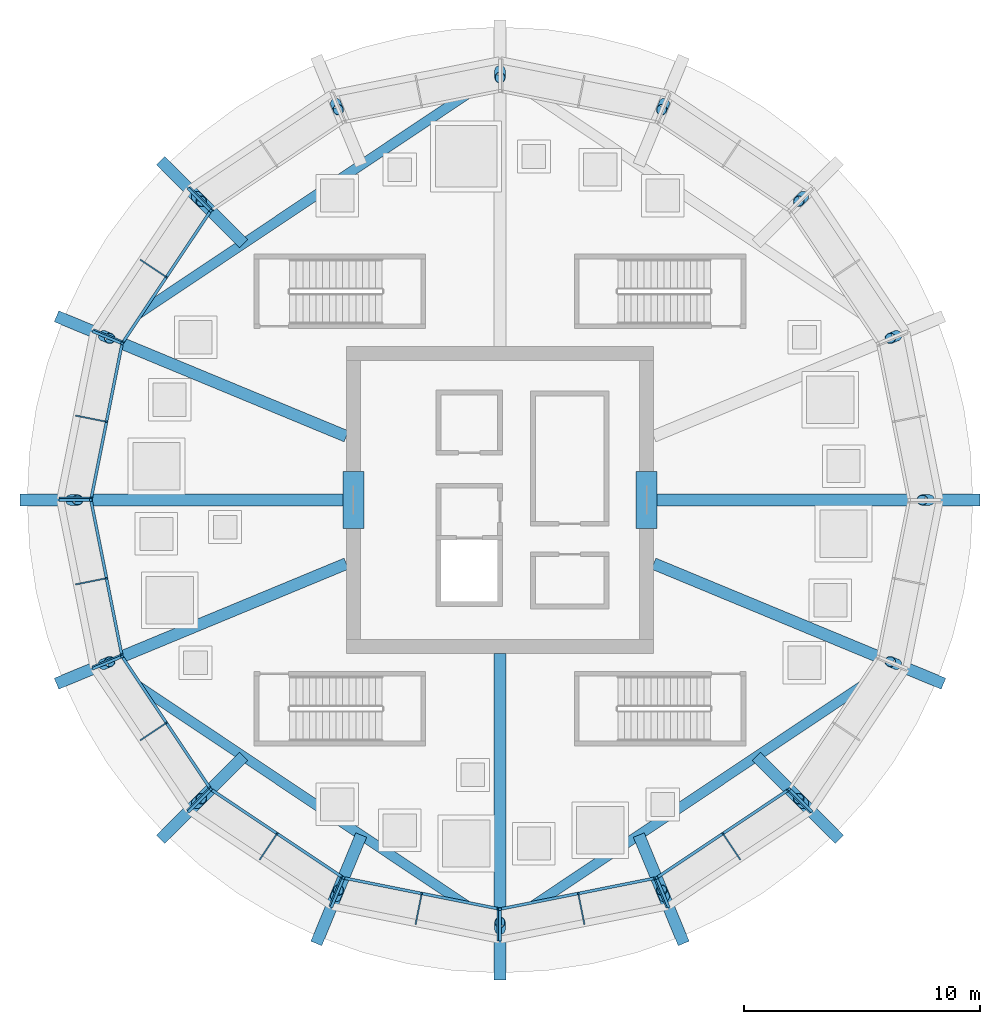
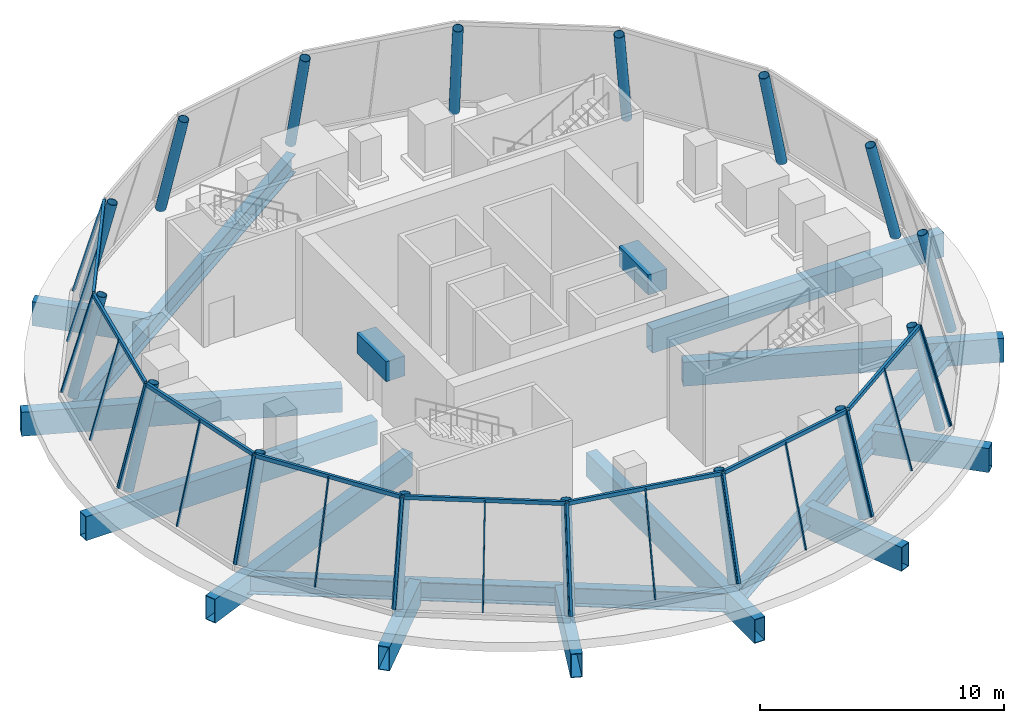
# One storey, part 1 of 7: 34 members, 16 beams, 16 columns, 10 elements without a shape of their own.
"""IFC4 building model written with IfcOpenShell, lengths in metres."""

from ifc_helpers import new_model, si_unit, direction, frame, origin, origin_2d, place, context, subcontext, project, spatial, rectangle, hollow_rectangle, hollow_circle, i_section, extrude, material, material_profile, profile_set, type_object, element, aggregate, save


model = new_model("IFC4")

# Units and contexts
model_context = context("Model", 3, precision=1e-05, world=origin(), true_north=direction((0.0, 1.0)))
body_context = subcontext(model_context, "Body", "Model", "MODEL_VIEW")
ifc_project = project(units=[si_unit("LENGTHUNIT", "METRE"), si_unit("AREAUNIT", "SQUARE_METRE"), si_unit("VOLUMEUNIT", "CUBIC_METRE"), si_unit("PLANEANGLEUNIT", "RADIAN"), si_unit("MASSUNIT", "GRAM", prefix="KILO")], contexts=[model_context])

# Site, building, storey
site_placement = place(None, origin())
site = spatial("IfcSite", under=ifc_project, at=site_placement, CompositionType="ELEMENT")
building_placement = place(site_placement, origin())
building = spatial("IfcBuilding", under=site, at=building_placement, Name="Corvane Civic Tower", CompositionType="ELEMENT")
storey_placement = place(building_placement, frame((0.0, 0.0, 387.5)))
storey = spatial("IfcBuildingStorey", under=building, at=storey_placement, Name="L92", CompositionType="ELEMENT", Elevation=387.5)

# Columns
ifc_material_1 = material(Name="Steel ASTM A572 Gr 50", Category="steel")
ifc_material_profile_1 = material_profile(ifc_material_1, hollow_circle(Radius=0.22509765625, WallThickness=0.02001953125, at=origin_2d()), Name="CHS450X20")
ifc_profile_set_1 = profile_set([ifc_material_profile_1], Name="Steel ASTM A572 Gr 50")
column_type = type_object("IfcColumnType", Name="CROWN RIB CHS450X20", PredefinedType="COLUMN", material=ifc_profile_set_1)
for number, where, z_axis, x_axis, name in (
    (1, (0.0, 18.14990234375, 0.0), (0.0, -0.233360315468, 0.972390334775), (1.0, 0.0, 0.0), "Crown rib CR-1"),
    (2, (6.94580078125, 16.768310546875, 0.0), (-0.089305860087, -0.215603725288, 0.972388552481), (0.923879724955, -0.382682967764, 0.0), "Crown rib CR-3"),
    (3, (12.833984375, 12.833984375, 0.0), (-0.165008628166, -0.165008628166, 0.972391024877), (0.707106781187, -0.707106781187, 0.0), "Crown rib CR-5"),
    (4, (16.768310546875, 6.94580078125, 0.0), (-0.215603725288, -0.089305860087, 0.972388552481), (0.382682967764, -0.923879724955, 0.0), "Crown rib CR-7"),
    (5, (18.14990234375, 0.0, 0.0), (-0.233360315468, 0.0, 0.972390334775), (0.0, -1.0, 0.0), "Crown rib CR-9"),
    (6, (16.768310546875, -6.94580078125, 0.0), (-0.215603725288, 0.089305860087, 0.972388552481), (-0.382682967764, -0.923879724955, 0.0), "Crown rib CR-11"),
    (7, (12.833984375, -12.833984375, 0.0), (-0.165008628166, 0.165008628166, 0.972391024877), (-0.707106781187, -0.707106781187, 0.0), "Crown rib CR-13"),
    (8, (6.94580078125, -16.768310546875, 0.0), (-0.089305860087, 0.215603725288, 0.972388552481), (-0.923879724955, -0.382682967764, 0.0), "Crown rib CR-15"),
    (9, (0.0, -18.14990234375, 0.0), (0.0, 0.233360315468, 0.972390334775), (-1.0, 0.0, 0.0), "Crown rib CR-17"),
    (10, (-6.94580078125, -16.768310546875, 0.0), (0.089305860087, 0.215603725288, 0.972388552481), (-0.923879724955, 0.382682967764, 0.0), "Crown rib CR-19"),
    (11, (-12.833984375, -12.833984375, 0.0), (0.165008628166, 0.165008628166, 0.972391024877), (-0.707106781187, 0.707106781187, 0.0), "Crown rib CR-21"),
    (12, (-16.768310546875, -6.94580078125, 0.0), (0.215603725288, 0.089305860087, 0.972388552481), (-0.382682967764, 0.923879724955, 0.0), "Crown rib CR-23"),
    (13, (-18.14990234375, 0.0, 0.0), (0.233360315468, 0.0, 0.972390334775), (0.0, 1.0, 0.0), "Crown rib CR-25"),
    (14, (-16.768310546875, 6.94580078125, 0.0), (0.215603725288, -0.089305860087, 0.972388552481), (0.382682967764, 0.923879724955, 0.0), "Crown rib CR-27"),
    (15, (-12.833984375, 12.833984375, 0.0), (0.165008628166, -0.165008628166, 0.972391024877), (0.707106781187, 0.707106781187, 0.0), "Crown rib CR-29"),
    (16, (-6.94580078125, 16.768310546875, 0.0), (0.089305860087, -0.215603725288, 0.972388552481), (0.923879724955, 0.382682967764, 0.0), "Crown rib CR-31"),
):
    element("IfcColumn", number, at=place(storey_placement, frame(where, z_axis=z_axis, x_axis=x_axis)), inside=storey, type_object=column_type, Name=name, PredefinedType="COLUMN", context=body_context, shape_type="SweptSolid", body=[
        extrude(hollow_circle(Radius=0.22509765625, WallThickness=0.02001953125, at=origin_2d()), origin(), (0.0, 0.0, 1.0), 5.11474609375),
    ])

# Beams
ifc_material_2 = material(Name="Concrete C40/50", Category="concrete")
ifc_material_profile_2 = material_profile(ifc_material_2, rectangle(XDim=0.89990234375, YDim=1.0, at=origin_2d()), Name="COUPLING BEAM 900X1000")
ifc_profile_set_2 = profile_set([ifc_material_profile_2], Name="Concrete C40/50")
beam_type_1 = type_object("IfcBeamType", Name="COUPLING BEAM COUPLING BEAM 900X1000", PredefinedType="BEAM", material=ifc_profile_set_2)
for number, where, z_axis, x_axis, name in (
    (17, (-6.199951171875, -1.199951171875, 2.60009765625), (0.0, 1.0, 0.0), (-1.0, 0.0, 0.0), "BM-L92-cpl-CW-PW"),
    (18, (6.199951171875, -1.199951171875, 2.60009765625), (0.0, 1.0, 0.0), (-1.0, 0.0, 0.0), "BM-L92-cpl-CW-PE"),
):
    element("IfcBeam", number, at=place(storey_placement, frame(where, z_axis=z_axis, x_axis=x_axis)), inside=storey, type_object=beam_type_1, Name=name, PredefinedType="BEAM", context=body_context, shape_type="SweptSolid", body=[
        extrude(rectangle(XDim=0.89990234375, YDim=1.0, at=origin_2d()), origin(), (0.0, 0.0, 1.0), 2.39990234375),
    ])
ifc_material_3 = material(Name="Steel ASTM A572 Gr 50", Category="steel")
ifc_material_profile_3 = material_profile(ifc_material_3, hollow_rectangle(XDim=0.5, YDim=1.199951171875, WallThickness=0.030029296875, at=origin_2d()), Name="BOX1200X500X30")
ifc_profile_set_3 = profile_set([ifc_material_profile_3], Name="Steel ASTM A572 Gr 50")
beam_type_2 = type_object("IfcBeamType", Name="CROWN FOOT GIRDER BOX1200X500X30", PredefinedType="BEAM", material=ifc_profile_set_3)
beam_1_placement = place(storey_placement, frame((6.5, 0.0, -1.050048828125), z_axis=(1.0, 0.0, 0.0), x_axis=(0.0, 1.0, 0.0)))
element("IfcBeam", 19, at=beam_1_placement, inside=storey, type_object=beam_type_2, Name="Crown foot girder CF-9", PredefinedType="BEAM", context=body_context, shape_type="SweptSolid", body=[
    extrude(hollow_rectangle(XDim=0.5, YDim=1.199951171875, WallThickness=0.030029296875, at=origin_2d()), origin(), (0.0, 0.0, 1.0), 13.800048828125),
])
beam_2_placement = place(storey_placement, frame((6.5, -2.6923828125, -1.050048828125), z_axis=(0.923875951855, -0.38269207672, 0.0), x_axis=(0.38269207672, 0.923875951855, 0.0)))
element("IfcBeam", 20, at=beam_2_placement, inside=storey, type_object=beam_type_2, Name="Crown foot girder CF-11", PredefinedType="BEAM", context=body_context, shape_type="SweptSolid", body=[
    extrude(hollow_rectangle(XDim=0.5, YDim=1.199951171875, WallThickness=0.030029296875, at=origin_2d()), origin(), (0.0, 0.0, 1.0), 13.264404296875),
])
beam_3_placement = place(storey_placement, frame((10.845458984375, -10.845458984375, -1.050048828125), z_axis=(0.707106781187, -0.707106781187, 0.0), x_axis=(0.707106781187, 0.707106781187, 0.0)))
element("IfcBeam", 21, at=beam_3_placement, inside=storey, type_object=beam_type_2, Name="Crown foot girder CF-13", PredefinedType="BEAM", context=body_context, shape_type="SweptSolid", body=[
    extrude(hollow_rectangle(XDim=0.5, YDim=1.199951171875, WallThickness=0.030029296875, at=origin_2d()), origin(), (0.0, 0.0, 1.0), 4.962158203125),
])
beam_4_placement = place(storey_placement, frame((5.86962890625, -14.17041015625, -1.050048828125), z_axis=(0.382696532812, -0.923874106019, 0.0), x_axis=(0.923874106019, 0.382696532812, 0.0)))
element("IfcBeam", 22, at=beam_4_placement, inside=storey, type_object=beam_type_2, Name="Crown foot girder CF-15", PredefinedType="BEAM", context=body_context, shape_type="SweptSolid", body=[
    extrude(hollow_rectangle(XDim=0.5, YDim=1.199951171875, WallThickness=0.030029296875, at=origin_2d()), origin(), (0.0, 0.0, 1.0), 4.9619140625),
])
beam_5_placement = place(storey_placement, frame((0.0, -6.5, -1.050048828125), z_axis=(0.0, -1.0, 0.0), x_axis=(1.0, 0.0, 0.0)))
element("IfcBeam", 23, at=beam_5_placement, inside=storey, type_object=beam_type_2, Name="Crown foot girder CF-17", PredefinedType="BEAM", context=body_context, shape_type="SweptSolid", body=[
    extrude(hollow_rectangle(XDim=0.5, YDim=1.199951171875, WallThickness=0.030029296875, at=origin_2d()), origin(), (0.0, 0.0, 1.0), 13.800048828125),
])
beam_6_placement = place(storey_placement, frame((-5.86962890625, -14.17041015625, -1.050048828125), z_axis=(-0.382696532812, -0.923874106019, 0.0), x_axis=(0.923874106019, -0.382696532812, 0.0)))
element("IfcBeam", 24, at=beam_6_placement, inside=storey, type_object=beam_type_2, Name="Crown foot girder CF-19", PredefinedType="BEAM", context=body_context, shape_type="SweptSolid", body=[
    extrude(hollow_rectangle(XDim=0.5, YDim=1.199951171875, WallThickness=0.030029296875, at=origin_2d()), origin(), (0.0, 0.0, 1.0), 4.9619140625),
])
beam_7_placement = place(storey_placement, frame((-10.845458984375, -10.845458984375, -1.050048828125), z_axis=(-0.707106781187, -0.707106781187, 0.0), x_axis=(0.707106781187, -0.707106781187, 0.0)))
element("IfcBeam", 25, at=beam_7_placement, inside=storey, type_object=beam_type_2, Name="Crown foot girder CF-21", PredefinedType="BEAM", context=body_context, shape_type="SweptSolid", body=[
    extrude(hollow_rectangle(XDim=0.5, YDim=1.199951171875, WallThickness=0.030029296875, at=origin_2d()), origin(), (0.0, 0.0, 1.0), 4.962158203125),
])
beam_8_placement = place(storey_placement, frame((-6.5, -2.6923828125, -1.050048828125), z_axis=(-0.923875951855, -0.38269207672, 0.0), x_axis=(0.38269207672, -0.923875951855, 0.0)))
element("IfcBeam", 26, at=beam_8_placement, inside=storey, type_object=beam_type_2, Name="Crown foot girder CF-23", PredefinedType="BEAM", context=body_context, shape_type="SweptSolid", body=[
    extrude(hollow_rectangle(XDim=0.5, YDim=1.199951171875, WallThickness=0.030029296875, at=origin_2d()), origin(), (0.0, 0.0, 1.0), 13.264404296875),
])
beam_9_placement = place(storey_placement, frame((-6.5, 0.0, -1.050048828125), z_axis=(-1.0, 0.0, 0.0), x_axis=(0.0, -1.0, 0.0)))
element("IfcBeam", 27, at=beam_9_placement, inside=storey, type_object=beam_type_2, Name="Crown foot girder CF-25", PredefinedType="BEAM", context=body_context, shape_type="SweptSolid", body=[
    extrude(hollow_rectangle(XDim=0.5, YDim=1.199951171875, WallThickness=0.030029296875, at=origin_2d()), origin(), (0.0, 0.0, 1.0), 13.800048828125),
])
beam_10_placement = place(storey_placement, frame((-6.5, 2.6923828125, -1.050048828125), z_axis=(-0.923875951855, 0.38269207672, 0.0), x_axis=(-0.38269207672, -0.923875951855, 0.0)))
element("IfcBeam", 28, at=beam_10_placement, inside=storey, type_object=beam_type_2, Name="Crown foot girder CF-27", PredefinedType="BEAM", context=body_context, shape_type="SweptSolid", body=[
    extrude(hollow_rectangle(XDim=0.5, YDim=1.199951171875, WallThickness=0.030029296875, at=origin_2d()), origin(), (0.0, 0.0, 1.0), 13.264404296875),
])
beam_11_placement = place(storey_placement, frame((-10.845458984375, 10.845458984375, -1.050048828125), z_axis=(-0.707106781187, 0.707106781187, 0.0), x_axis=(-0.707106781187, -0.707106781187, 0.0)))
element("IfcBeam", 29, at=beam_11_placement, inside=storey, type_object=beam_type_2, Name="Crown foot girder CF-29", PredefinedType="BEAM", context=body_context, shape_type="SweptSolid", body=[
    extrude(hollow_rectangle(XDim=0.5, YDim=1.199951171875, WallThickness=0.030029296875, at=origin_2d()), origin(), (0.0, 0.0, 1.0), 4.962158203125),
])

# Curtain wall, member
ifc_material_4 = material(Name="Aluminium and glass", Category="aluminium")
curtain_wall_type = type_object("IfcCurtainWallType", Name="CROWN-CW-K-FACET", PredefinedType="NOTDEFINED", material=ifc_material_4)
curtain_wall_1_placement = place(storey_placement, origin())
curtain_wall_1 = element("IfcCurtainWall", 30, at=curtain_wall_1_placement, inside=storey, type_object=curtain_wall_type, Name="Glass cone facet 2 row 1", PredefinedType="NOTDEFINED")
ifc_material_5 = material(Name="Steel ASTM A500 Gr C", Category="steel")
ifc_material_profile_4 = material_profile(ifc_material_5, hollow_rectangle(XDim=0.06005859375, YDim=0.1201171875, WallThickness=0.0048828125, at=origin_2d()), Name="RHS 120x60x5")
ifc_profile_set_4 = profile_set([ifc_material_profile_4], Name="Steel ASTM A500 Gr C")
member_type_1 = type_object("IfcMemberType", Name="CROWN-CWK-MULLION-RHS120x60x5", PredefinedType="MULLION", material=ifc_profile_set_4)
member_1_placement = place(storey_placement, frame((-13.077392578125, 13.2021484375, 0.25), z_axis=(0.186650174812, -0.186650174812, 0.964532749307), x_axis=(0.707106781187, 0.707106781187, 0.0)))
member_1 = element("IfcMember", 31, at=member_1_placement, type_object=member_type_1, Name="Cone mullion 2.1J", PredefinedType="MULLION", context=body_context, shape_type="SweptSolid", body=[
    extrude(hollow_rectangle(XDim=0.06005859375, YDim=0.1201171875, WallThickness=0.0048828125, at=origin_2d()), origin(), (0.0, 0.0, 1.0), 4.924560546875),
])
aggregate(curtain_wall_1, [member_1])

# Curtain wall, members
curtain_wall_2_placement = place(storey_placement, origin())
curtain_wall_2 = element("IfcCurtainWall", 32, at=curtain_wall_2_placement, inside=storey, type_object=curtain_wall_type, Name="Glass cone facet 3 row 1", PredefinedType="NOTDEFINED")
member_2_placement = place(storey_placement, frame((-15.168212890625, 10.135009765625, 0.25), z_axis=(0.215587481968, -0.144055922789, 0.965800149476), x_axis=(0.555583491812, 0.831460752908, 0.0)))
member_2 = element("IfcMember", 33, at=member_2_placement, type_object=member_type_1, Name="Cone mullion 3.1M", PredefinedType="MULLION", context=body_context, shape_type="SweptSolid", body=[
    extrude(hollow_rectangle(XDim=0.06005859375, YDim=0.1201171875, WallThickness=0.0048828125, at=origin_2d()), origin(), (0.0, 0.0, 1.0), 4.918212890625),
])
member_3_placement = place(storey_placement, frame((-17.134033203125, 7.19287109375, 0.25), z_axis=(0.243859950058, -0.101034067538, 0.964533276748), x_axis=(0.382760937611, 0.923847424979, 0.0)))
member_3 = element("IfcMember", 34, at=member_3_placement, type_object=member_type_1, Name="Cone mullion 3.1J", PredefinedType="MULLION", context=body_context, shape_type="SweptSolid", body=[
    extrude(hollow_rectangle(XDim=0.06005859375, YDim=0.1201171875, WallThickness=0.0048828125, at=origin_2d()), origin(), (0.0, 0.0, 1.0), 4.924560546875),
])

curtain_wall_3_placement = place(storey_placement, origin())
curtain_wall_3 = element("IfcCurtainWall", 35, at=curtain_wall_3_placement, inside=storey, type_object=curtain_wall_type, Name="Glass cone facet 4 row 1", PredefinedType="NOTDEFINED")
member_4_placement = place(storey_placement, frame((-17.89208984375, 3.55908203125, 0.25), z_axis=(0.254260349721, -0.050584009443, 0.965812058606), x_axis=(0.195121792539, 0.980779020002, 0.0)))
member_4 = element("IfcMember", 36, at=member_4_placement, type_object=member_type_1, Name="Cone mullion 4.1M", PredefinedType="MULLION", context=body_context, shape_type="SweptSolid", body=[
    extrude(hollow_rectangle(XDim=0.06005859375, YDim=0.1201171875, WallThickness=0.0048828125, at=origin_2d()), origin(), (0.0, 0.0, 1.0), 4.918212890625),
])
member_5_placement = place(storey_placement, frame((-18.58251953125, 0.08837890625, 0.25), z_axis=(0.263985620286, 0.0, 0.964526615642), x_axis=(0.0, 1.0, 0.0)))
member_5 = element("IfcMember", 37, at=member_5_placement, type_object=member_type_1, Name="Cone mullion 4.1J", PredefinedType="MULLION", context=body_context, shape_type="SweptSolid", body=[
    extrude(hollow_rectangle(XDim=0.06005859375, YDim=0.1201171875, WallThickness=0.0048828125, at=origin_2d()), origin(), (0.0, 0.0, 1.0), 4.9248046875),
])

curtain_wall_4_placement = place(storey_placement, origin())
curtain_wall_4 = element("IfcCurtainWall", 38, at=curtain_wall_4_placement, inside=storey, type_object=curtain_wall_type, Name="Glass cone facet 5 row 1", PredefinedType="NOTDEFINED")
member_6_placement = place(storey_placement, frame((-17.89208984375, -3.55908203125, 0.25), z_axis=(0.254260349721, 0.050584009443, 0.965812058606), x_axis=(-0.195121792539, 0.980779020002, 0.0)))
member_6 = element("IfcMember", 39, at=member_6_placement, type_object=member_type_1, Name="Cone mullion 5.1M", PredefinedType="MULLION", context=body_context, shape_type="SweptSolid", body=[
    extrude(hollow_rectangle(XDim=0.06005859375, YDim=0.1201171875, WallThickness=0.0048828125, at=origin_2d()), origin(), (0.0, 0.0, 1.0), 4.918212890625),
])
member_7_placement = place(storey_placement, frame((-17.20166015625, -7.029541015625, 0.25), z_axis=(0.243859950058, 0.101034067538, 0.964533276748), x_axis=(-0.382760937611, 0.923847424979, 0.0)))
member_7 = element("IfcMember", 40, at=member_7_placement, type_object=member_type_1, Name="Cone mullion 5.1J", PredefinedType="MULLION", context=body_context, shape_type="SweptSolid", body=[
    extrude(hollow_rectangle(XDim=0.06005859375, YDim=0.1201171875, WallThickness=0.0048828125, at=origin_2d()), origin(), (0.0, 0.0, 1.0), 4.924560546875),
])

curtain_wall_5_placement = place(storey_placement, origin())
curtain_wall_5 = element("IfcCurtainWall", 41, at=curtain_wall_5_placement, inside=storey, type_object=curtain_wall_type, Name="Glass cone facet 6 row 1", PredefinedType="NOTDEFINED")
member_8_placement = place(storey_placement, frame((-15.168212890625, -10.135009765625, 0.25), z_axis=(0.215587481968, 0.144055922789, 0.965800149476), x_axis=(-0.555583491812, 0.831460752908, 0.0)))
member_8 = element("IfcMember", 42, at=member_8_placement, type_object=member_type_1, Name="Cone mullion 6.1M", PredefinedType="MULLION", context=body_context, shape_type="SweptSolid", body=[
    extrude(hollow_rectangle(XDim=0.06005859375, YDim=0.1201171875, WallThickness=0.0048828125, at=origin_2d()), origin(), (0.0, 0.0, 1.0), 4.918212890625),
])
member_9_placement = place(storey_placement, frame((-13.2021484375, -13.077392578125, 0.25), z_axis=(0.186650174812, 0.186650174812, 0.964532749307), x_axis=(-0.707106781187, 0.707106781187, 0.0)))
member_9 = element("IfcMember", 43, at=member_9_placement, type_object=member_type_1, Name="Cone mullion 6.1J", PredefinedType="MULLION", context=body_context, shape_type="SweptSolid", body=[
    extrude(hollow_rectangle(XDim=0.06005859375, YDim=0.1201171875, WallThickness=0.0048828125, at=origin_2d()), origin(), (0.0, 0.0, 1.0), 4.924560546875),
])

curtain_wall_6_placement = place(storey_placement, origin())
curtain_wall_6 = element("IfcCurtainWall", 44, at=curtain_wall_6_placement, inside=storey, type_object=curtain_wall_type, Name="Glass cone facet 7 row 1", PredefinedType="NOTDEFINED")
member_10_placement = place(storey_placement, frame((-10.135009765625, -15.168212890625, 0.25), z_axis=(0.144055922789, 0.215587481968, 0.965800149476), x_axis=(-0.831460752908, 0.555583491812, 0.0)))
member_10 = element("IfcMember", 45, at=member_10_placement, type_object=member_type_1, Name="Cone mullion 7.1M", PredefinedType="MULLION", context=body_context, shape_type="SweptSolid", body=[
    extrude(hollow_rectangle(XDim=0.06005859375, YDim=0.1201171875, WallThickness=0.0048828125, at=origin_2d()), origin(), (0.0, 0.0, 1.0), 4.918212890625),
])
member_11_placement = place(storey_placement, frame((-7.19287109375, -17.134033203125, 0.25), z_axis=(0.101034067538, 0.243859950058, 0.964533276748), x_axis=(-0.923847424979, 0.382760937611, 0.0)))
member_11 = element("IfcMember", 46, at=member_11_placement, type_object=member_type_1, Name="Cone mullion 7.1J", PredefinedType="MULLION", context=body_context, shape_type="SweptSolid", body=[
    extrude(hollow_rectangle(XDim=0.06005859375, YDim=0.1201171875, WallThickness=0.0048828125, at=origin_2d()), origin(), (0.0, 0.0, 1.0), 4.924560546875),
])

curtain_wall_7_placement = place(storey_placement, origin())
curtain_wall_7 = element("IfcCurtainWall", 47, at=curtain_wall_7_placement, inside=storey, type_object=curtain_wall_type, Name="Glass cone facet 8 row 1", PredefinedType="NOTDEFINED")
member_12_placement = place(storey_placement, frame((-3.55908203125, -17.89208984375, 0.25), z_axis=(0.050584009443, 0.254260349721, 0.965812058606), x_axis=(-0.980779020002, 0.195121792539, 0.0)))
member_12 = element("IfcMember", 48, at=member_12_placement, type_object=member_type_1, Name="Cone mullion 8.1M", PredefinedType="MULLION", context=body_context, shape_type="SweptSolid", body=[
    extrude(hollow_rectangle(XDim=0.06005859375, YDim=0.1201171875, WallThickness=0.0048828125, at=origin_2d()), origin(), (0.0, 0.0, 1.0), 4.918212890625),
])
member_13_placement = place(storey_placement, frame((-0.08837890625, -18.58251953125, 0.25), z_axis=(0.0, 0.263985620286, 0.964526615642), x_axis=(-1.0, 0.0, 0.0)))
member_13 = element("IfcMember", 49, at=member_13_placement, type_object=member_type_1, Name="Cone mullion 8.1J", PredefinedType="MULLION", context=body_context, shape_type="SweptSolid", body=[
    extrude(hollow_rectangle(XDim=0.06005859375, YDim=0.1201171875, WallThickness=0.0048828125, at=origin_2d()), origin(), (0.0, 0.0, 1.0), 4.9248046875),
])

curtain_wall_8_placement = place(storey_placement, origin())
curtain_wall_8 = element("IfcCurtainWall", 50, at=curtain_wall_8_placement, inside=storey, type_object=curtain_wall_type, Name="Glass cone facet 9 row 1", PredefinedType="NOTDEFINED")
member_14_placement = place(storey_placement, frame((3.55908203125, -17.89208984375, 0.25), z_axis=(-0.050584009443, 0.254260349721, 0.965812058606), x_axis=(-0.980779020002, -0.195121792539, 0.0)))
member_14 = element("IfcMember", 51, at=member_14_placement, type_object=member_type_1, Name="Cone mullion 9.1M", PredefinedType="MULLION", context=body_context, shape_type="SweptSolid", body=[
    extrude(hollow_rectangle(XDim=0.06005859375, YDim=0.1201171875, WallThickness=0.0048828125, at=origin_2d()), origin(), (0.0, 0.0, 1.0), 4.918212890625),
])
member_15_placement = place(storey_placement, frame((7.029541015625, -17.20166015625, 0.25), z_axis=(-0.101034067538, 0.243859950058, 0.964533276748), x_axis=(-0.923847424979, -0.382760937611, 0.0)))
member_15 = element("IfcMember", 52, at=member_15_placement, type_object=member_type_1, Name="Cone mullion 9.1J", PredefinedType="MULLION", context=body_context, shape_type="SweptSolid", body=[
    extrude(hollow_rectangle(XDim=0.06005859375, YDim=0.1201171875, WallThickness=0.0048828125, at=origin_2d()), origin(), (0.0, 0.0, 1.0), 4.924560546875),
])

curtain_wall_9_placement = place(storey_placement, origin())
curtain_wall_9 = element("IfcCurtainWall", 53, at=curtain_wall_9_placement, inside=storey, type_object=curtain_wall_type, Name="Glass cone facet 10 row 1", PredefinedType="NOTDEFINED")
member_16_placement = place(storey_placement, frame((10.135009765625, -15.168212890625, 0.25), z_axis=(-0.144055922789, 0.215587481968, 0.965800149476), x_axis=(-0.831460752908, -0.555583491812, 0.0)))
member_16 = element("IfcMember", 54, at=member_16_placement, type_object=member_type_1, Name="Cone mullion 10.1M", PredefinedType="MULLION", context=body_context, shape_type="SweptSolid", body=[
    extrude(hollow_rectangle(XDim=0.06005859375, YDim=0.1201171875, WallThickness=0.0048828125, at=origin_2d()), origin(), (0.0, 0.0, 1.0), 4.918212890625),
])
member_17_placement = place(storey_placement, frame((13.077392578125, -13.2021484375, 0.25), z_axis=(-0.186650174812, 0.186650174812, 0.964532749307), x_axis=(-0.707106781187, -0.707106781187, 0.0)))
member_17 = element("IfcMember", 55, at=member_17_placement, type_object=member_type_1, Name="Cone mullion 10.1J", PredefinedType="MULLION", context=body_context, shape_type="SweptSolid", body=[
    extrude(hollow_rectangle(XDim=0.06005859375, YDim=0.1201171875, WallThickness=0.0048828125, at=origin_2d()), origin(), (0.0, 0.0, 1.0), 4.924560546875),
])

# Member
ifc_material_6 = material(Name="Steel ASTM A500 Gr C", Category="steel")
ifc_material_profile_5 = material_profile(ifc_material_6, hollow_rectangle(XDim=0.1201171875, YDim=0.1201171875, WallThickness=0.006103515625, at=origin_2d()), Name="RHS 120x120x6")
ifc_profile_set_5 = profile_set([ifc_material_profile_5], Name="Steel ASTM A500 Gr C")
member_type_2 = type_object("IfcMemberType", Name="CROWN-CWK-RIB-RHS120x120x6", PredefinedType="MULLION", material=ifc_profile_set_5)
member_18_placement = place(storey_placement, frame((-13.152099609375, 13.152099609375, 0.25), z_axis=(0.186650174812, -0.186650174812, 0.964532749307), x_axis=(0.707106781187, 0.707106781187, 0.0)))
member_18 = element("IfcMember", 56, at=member_18_placement, type_object=member_type_2, Name="Cone rib 3.1", PredefinedType="MULLION", context=body_context, shape_type="SweptSolid", body=[
    extrude(hollow_rectangle(XDim=0.1201171875, YDim=0.1201171875, WallThickness=0.006103515625, at=origin_2d()), origin(), (0.0, 0.0, 1.0), 4.924560546875),
])

member_19_placement = place(storey_placement, frame((-17.18408203125, 7.117919921875, 0.25), z_axis=(0.243859950058, -0.101034067538, 0.964533276748), x_axis=(0.382760937611, 0.923847424979, 0.0)))
member_19 = element("IfcMember", 57, at=member_19_placement, type_object=member_type_2, Name="Cone rib 4.1", PredefinedType="MULLION", context=body_context, shape_type="SweptSolid", body=[
    extrude(hollow_rectangle(XDim=0.1201171875, YDim=0.1201171875, WallThickness=0.006103515625, at=origin_2d()), origin(), (0.0, 0.0, 1.0), 4.924560546875),
])

member_20_placement = place(storey_placement, frame((-18.60009765625, 0.0, 0.25), z_axis=(0.263985620286, 0.0, 0.964526615642), x_axis=(0.0, 1.0, 0.0)))
member_20 = element("IfcMember", 58, at=member_20_placement, type_object=member_type_2, Name="Cone rib 5.1", PredefinedType="MULLION", context=body_context, shape_type="SweptSolid", body=[
    extrude(hollow_rectangle(XDim=0.1201171875, YDim=0.1201171875, WallThickness=0.006103515625, at=origin_2d()), origin(), (0.0, 0.0, 1.0), 4.9248046875),
])

member_21_placement = place(storey_placement, frame((-17.18408203125, -7.117919921875, 0.25), z_axis=(0.243859950058, 0.101034067538, 0.964533276748), x_axis=(-0.382760937611, 0.923847424979, 0.0)))
member_21 = element("IfcMember", 59, at=member_21_placement, type_object=member_type_2, Name="Cone rib 6.1", PredefinedType="MULLION", context=body_context, shape_type="SweptSolid", body=[
    extrude(hollow_rectangle(XDim=0.1201171875, YDim=0.1201171875, WallThickness=0.006103515625, at=origin_2d()), origin(), (0.0, 0.0, 1.0), 4.924560546875),
])

member_22_placement = place(storey_placement, frame((-13.152099609375, -13.152099609375, 0.25), z_axis=(0.186650174812, 0.186650174812, 0.964532749307), x_axis=(-0.707106781187, 0.707106781187, 0.0)))
member_22 = element("IfcMember", 60, at=member_22_placement, type_object=member_type_2, Name="Cone rib 7.1", PredefinedType="MULLION", context=body_context, shape_type="SweptSolid", body=[
    extrude(hollow_rectangle(XDim=0.1201171875, YDim=0.1201171875, WallThickness=0.006103515625, at=origin_2d()), origin(), (0.0, 0.0, 1.0), 4.924560546875),
])

member_23_placement = place(storey_placement, frame((-7.117919921875, -17.18408203125, 0.25), z_axis=(0.101034067538, 0.243859950058, 0.964533276748), x_axis=(-0.923847424979, 0.382760937611, 0.0)))
member_23 = element("IfcMember", 61, at=member_23_placement, type_object=member_type_2, Name="Cone rib 8.1", PredefinedType="MULLION", context=body_context, shape_type="SweptSolid", body=[
    extrude(hollow_rectangle(XDim=0.1201171875, YDim=0.1201171875, WallThickness=0.006103515625, at=origin_2d()), origin(), (0.0, 0.0, 1.0), 4.924560546875),
])

member_24_placement = place(storey_placement, frame((0.0, -18.60009765625, 0.25), z_axis=(0.0, 0.263985620286, 0.964526615642), x_axis=(-1.0, 0.0, 0.0)))
member_24 = element("IfcMember", 62, at=member_24_placement, type_object=member_type_2, Name="Cone rib 9.1", PredefinedType="MULLION", context=body_context, shape_type="SweptSolid", body=[
    extrude(hollow_rectangle(XDim=0.1201171875, YDim=0.1201171875, WallThickness=0.006103515625, at=origin_2d()), origin(), (0.0, 0.0, 1.0), 4.9248046875),
])

member_25_placement = place(storey_placement, frame((7.117919921875, -17.18408203125, 0.25), z_axis=(-0.101034067538, 0.243859950058, 0.964533276748), x_axis=(-0.923847424979, -0.382760937611, 0.0)))
member_25 = element("IfcMember", 63, at=member_25_placement, type_object=member_type_2, Name="Cone rib 10.1", PredefinedType="MULLION", context=body_context, shape_type="SweptSolid", body=[
    extrude(hollow_rectangle(XDim=0.1201171875, YDim=0.1201171875, WallThickness=0.006103515625, at=origin_2d()), origin(), (0.0, 0.0, 1.0), 4.924560546875),
])

# Curtain wall, member
curtain_wall_10_placement = place(storey_placement, origin())
curtain_wall_10 = element("IfcCurtainWall", 64, at=curtain_wall_10_placement, inside=storey, type_object=curtain_wall_type, Name="Glass cone facet 11 row 1", PredefinedType="NOTDEFINED")
member_26_placement = place(storey_placement, frame((13.152099609375, -13.152099609375, 0.25), z_axis=(-0.186650174812, 0.186650174812, 0.964532749307), x_axis=(-0.707106781187, -0.707106781187, 0.0)))
member_26 = element("IfcMember", 65, at=member_26_placement, type_object=member_type_2, Name="Cone rib 11.1", PredefinedType="MULLION", context=body_context, shape_type="SweptSolid", body=[
    extrude(hollow_rectangle(XDim=0.1201171875, YDim=0.1201171875, WallThickness=0.006103515625, at=origin_2d()), origin(), (0.0, 0.0, 1.0), 4.924560546875),
])
aggregate(curtain_wall_10, [member_26])

# Member
ifc_material_7 = material(Name="Steel ASTM A500 Gr C", Category="steel")
ifc_material_profile_6 = material_profile(ifc_material_7, hollow_rectangle(XDim=0.1201171875, YDim=0.199951171875, WallThickness=0.006103515625, at=origin_2d()), Name="RHS 200x120x6")
ifc_profile_set_6 = profile_set([ifc_material_profile_6], Name="Steel ASTM A500 Gr C")
member_type_3 = type_object("IfcMemberType", Name="CROWN-CWK-RING-RHS200x120x6", PredefinedType="USERDEFINED", material=ifc_profile_set_6)
member_27_placement = place(storey_placement, frame((-12.26611328125, 12.18310546875, 5.0), z_axis=(-0.555566622713, -0.831472024621, 0.0), x_axis=(0.831472024621, -0.555566622713, 0.0)))
member_27 = element("IfcMember", 66, at=member_27_placement, type_object=member_type_3, Name="Cone ring member 3.1", ObjectType="TRANSOM", PredefinedType="USERDEFINED", context=body_context, shape_type="SweptSolid", body=[
    extrude(hollow_rectangle(XDim=0.1201171875, YDim=0.199951171875, WallThickness=0.006103515625, at=origin_2d()), origin(), (0.0, 0.0, 1.0), 6.63037109375),
])

aggregate(curtain_wall_2, [member_18, member_27, member_2, member_3])

member_28_placement = place(storey_placement, frame((-15.994873046875, 6.5615234375, 5.0), z_axis=(-0.195089227303, -0.980785498155, 0.0), x_axis=(0.980785498155, -0.195089227303, 0.0)))
member_28 = element("IfcMember", 67, at=member_28_placement, type_object=member_type_3, Name="Cone ring member 4.1", ObjectType="TRANSOM", PredefinedType="USERDEFINED", context=body_context, shape_type="SweptSolid", body=[
    extrude(hollow_rectangle(XDim=0.1201171875, YDim=0.199951171875, WallThickness=0.006103515625, at=origin_2d()), origin(), (0.0, 0.0, 1.0), 6.630126953125),
])

aggregate(curtain_wall_3, [member_19, member_28, member_4, member_5])

member_29_placement = place(storey_placement, frame((-17.288330078125, -0.058837890625, 5.0), z_axis=(0.195089227303, -0.980785498155, 0.0), x_axis=(0.980785498155, 0.195089227303, 0.0)))
member_29 = element("IfcMember", 68, at=member_29_placement, type_object=member_type_3, Name="Cone ring member 5.1", ObjectType="TRANSOM", PredefinedType="USERDEFINED", context=body_context, shape_type="SweptSolid", body=[
    extrude(hollow_rectangle(XDim=0.1201171875, YDim=0.199951171875, WallThickness=0.006103515625, at=origin_2d()), origin(), (0.0, 0.0, 1.0), 6.630126953125),
])

aggregate(curtain_wall_4, [member_20, member_29, member_6, member_7])

member_30_placement = place(storey_placement, frame((-15.94970703125, -6.670166015625, 5.0), z_axis=(0.555566622713, -0.831472024621, 0.0), x_axis=(0.831472024621, 0.555566622713, 0.0)))
member_30 = element("IfcMember", 69, at=member_30_placement, type_object=member_type_3, Name="Cone ring member 6.1", ObjectType="TRANSOM", PredefinedType="USERDEFINED", context=body_context, shape_type="SweptSolid", body=[
    extrude(hollow_rectangle(XDim=0.1201171875, YDim=0.199951171875, WallThickness=0.006103515625, at=origin_2d()), origin(), (0.0, 0.0, 1.0), 6.63037109375),
])

aggregate(curtain_wall_5, [member_21, member_30, member_8, member_9])

member_31_placement = place(storey_placement, frame((-12.18310546875, -12.26611328125, 5.0), z_axis=(0.831472024621, -0.555566622713, 0.0), x_axis=(0.555566622713, 0.831472024621, 0.0)))
member_31 = element("IfcMember", 70, at=member_31_placement, type_object=member_type_3, Name="Cone ring member 7.1", ObjectType="TRANSOM", PredefinedType="USERDEFINED", context=body_context, shape_type="SweptSolid", body=[
    extrude(hollow_rectangle(XDim=0.1201171875, YDim=0.199951171875, WallThickness=0.006103515625, at=origin_2d()), origin(), (0.0, 0.0, 1.0), 6.63037109375),
])

aggregate(curtain_wall_6, [member_22, member_31, member_10, member_11])

member_32_placement = place(storey_placement, frame((-6.5615234375, -15.994873046875, 5.0), z_axis=(0.980785498155, -0.195089227303, 0.0), x_axis=(0.195089227303, 0.980785498155, 0.0)))
member_32 = element("IfcMember", 71, at=member_32_placement, type_object=member_type_3, Name="Cone ring member 8.1", ObjectType="TRANSOM", PredefinedType="USERDEFINED", context=body_context, shape_type="SweptSolid", body=[
    extrude(hollow_rectangle(XDim=0.1201171875, YDim=0.199951171875, WallThickness=0.006103515625, at=origin_2d()), origin(), (0.0, 0.0, 1.0), 6.630126953125),
])

aggregate(curtain_wall_7, [member_23, member_32, member_12, member_13])

member_33_placement = place(storey_placement, frame((0.058837890625, -17.288330078125, 5.0), z_axis=(0.980785498155, 0.195089227303, 0.0), x_axis=(-0.195089227303, 0.980785498155, 0.0)))
member_33 = element("IfcMember", 72, at=member_33_placement, type_object=member_type_3, Name="Cone ring member 9.1", ObjectType="TRANSOM", PredefinedType="USERDEFINED", context=body_context, shape_type="SweptSolid", body=[
    extrude(hollow_rectangle(XDim=0.1201171875, YDim=0.199951171875, WallThickness=0.006103515625, at=origin_2d()), origin(), (0.0, 0.0, 1.0), 6.630126953125),
])

aggregate(curtain_wall_8, [member_24, member_33, member_14, member_15])

member_34_placement = place(storey_placement, frame((6.670166015625, -15.94970703125, 5.0), z_axis=(0.831472024621, 0.555566622713, 0.0), x_axis=(-0.555566622713, 0.831472024621, 0.0)))
member_34 = element("IfcMember", 73, at=member_34_placement, type_object=member_type_3, Name="Cone ring member 10.1", ObjectType="TRANSOM", PredefinedType="USERDEFINED", context=body_context, shape_type="SweptSolid", body=[
    extrude(hollow_rectangle(XDim=0.1201171875, YDim=0.199951171875, WallThickness=0.006103515625, at=origin_2d()), origin(), (0.0, 0.0, 1.0), 6.63037109375),
])

aggregate(curtain_wall_9, [member_25, member_34, member_16, member_17])

# Beams
ifc_material_8 = material(Name="Steel ASTM A992 Gr 50", Category="steel")
ifc_material_profile_7 = material_profile(ifc_material_8, i_section(OverallWidth=0.419189453125, OverallDepth=0.927001953125, WebThickness=0.019287109375, FlangeThickness=0.031982421875, at=origin_2d()), Name="W36X231")
ifc_profile_set_7 = profile_set([ifc_material_profile_7], Name="Steel ASTM A992 Gr 50")
beam_type_3 = type_object("IfcBeamType", Name="FLOOR HEADER W36X231", PredefinedType="BEAM", material=ifc_profile_set_7)
for number, where, z_axis, x_axis, name in (
    (74, (16.715087890625, -6.923583984375, -0.91357421875), (-0.831468773299, -0.555571488675, 0.0), (0.555571488675, -0.831468773299, 0.0), "BM-L92-H11-17"),
    (75, (0.0, -18.09228515625, -0.91357421875), (-0.831468773299, 0.555571488675, 0.0), (-0.555571488675, -0.831468773299, 0.0), "BM-L92-H17-23"),
    (76, (-16.715087890625, 6.923583984375, -0.91357421875), (0.831468773299, 0.555571488675, 0.0), (-0.555571488675, 0.831468773299, 0.0), "BM-L92-H27-01"),
):
    element("IfcBeam", number, at=place(storey_placement, frame(where, z_axis=z_axis, x_axis=x_axis)), inside=storey, type_object=beam_type_3, Name=name, PredefinedType="BEAM", context=body_context, shape_type="SweptSolid", body=[
        extrude(i_section(OverallWidth=0.419189453125, OverallDepth=0.927001953125, WebThickness=0.019287109375, FlangeThickness=0.031982421875, at=origin_2d()), origin(), (0.0, 0.0, 1.0), 20.10302734375),
    ])

save(model, "model.ifc")
